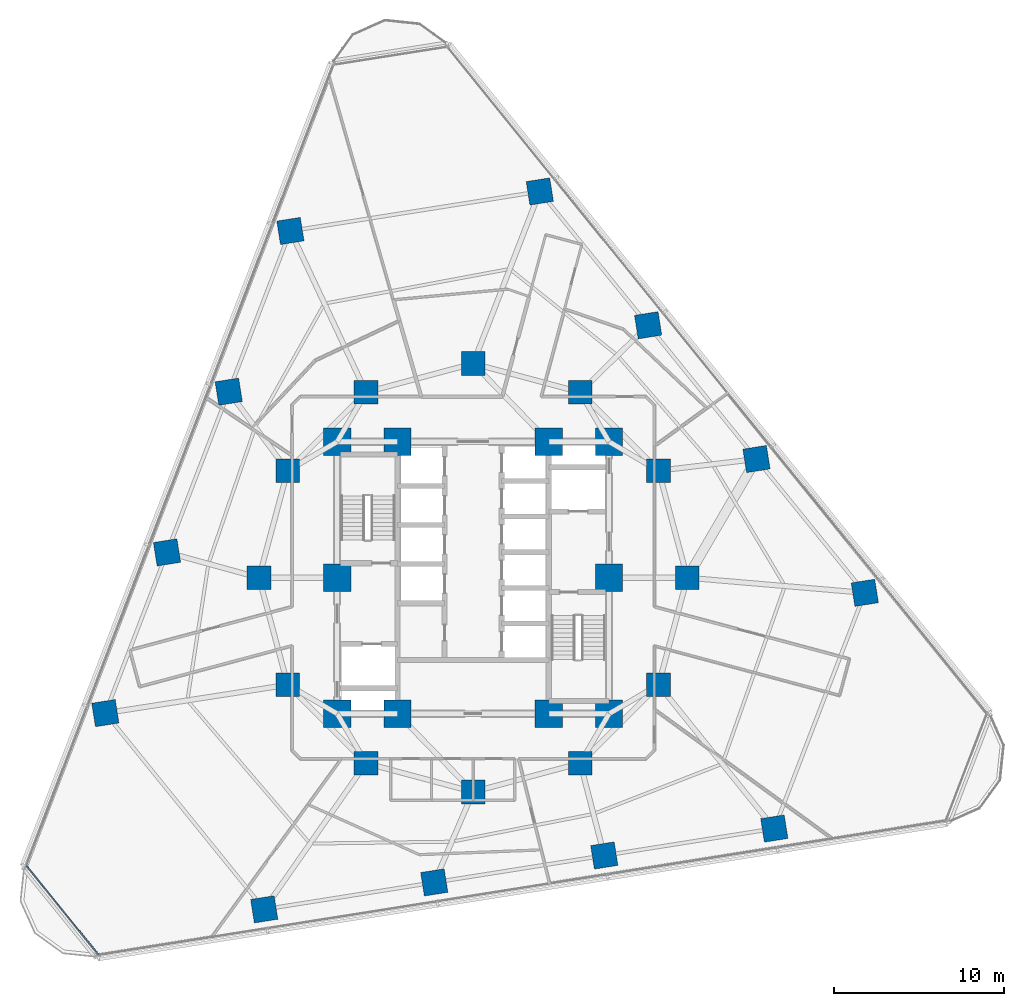
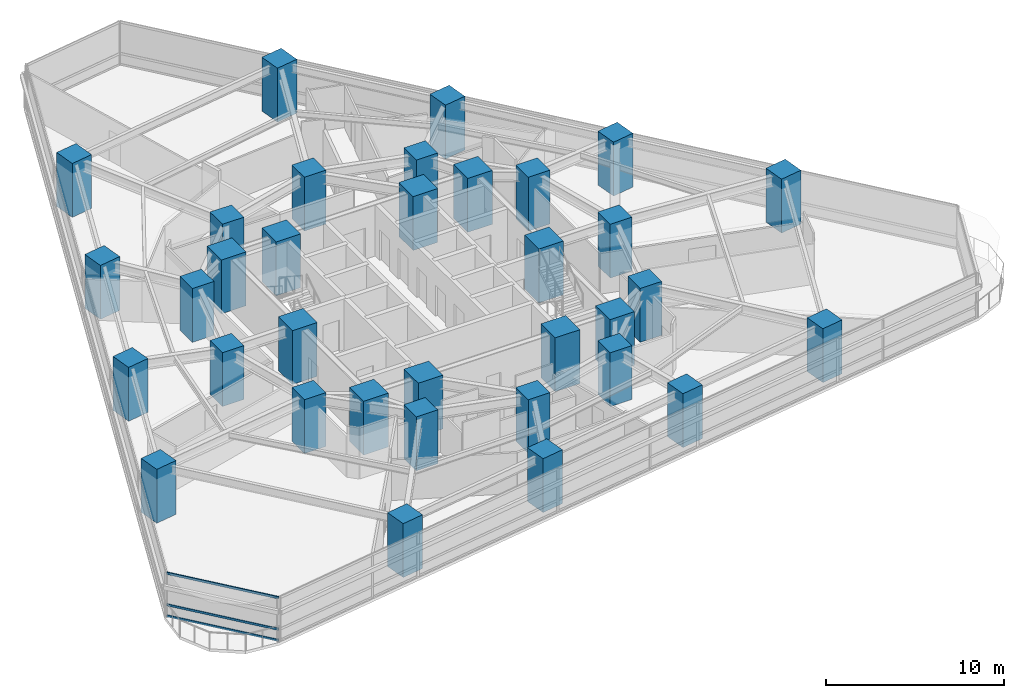
# One storey, part 1 of 13: 34 columns, 3 members, 1 element without a shape of its own.
"""IFC4 building model written with IfcOpenShell, lengths in metres."""

import ifcopenshell
import ifcopenshell.guid

model = None  # the IFC model being written
_history = None  # IfcOwnerHistory: only IFC2X3 demands one
_inside = {}  # id of a spatial element -> (the spatial element, [elements in it])
_under = {}  # id of a project, library or spatial element -> (it, [spatial elements below it])
_declared = {}  # id of a project -> (the project, [libraries it declares])
_typed = {}  # id of a type object -> (the type object, [elements of that type])
_made_of = {}  # id of a material, layer set ... -> (it, [elements and type objects made of it])


def new_model(schema):
    """Start an empty IFC model of exactly this schema.

    Asked for "IFC4X3", IfcOpenShell would pick the latest addendum, in which some entities
    have other attributes; the version numbers below select the first issue.
    IFC2X3 requires an IfcOwnerHistory on every rooted entity: one is made here for all.
    """
    global model, _history
    if schema == "IFC4X3":
        model = ifcopenshell.file(schema_version=(4, 3, 0, 0))
    else:
        model = ifcopenshell.file(schema=schema)
    _inside.clear()
    _under.clear()
    _declared.clear()
    _typed.clear()
    _made_of.clear()
    _history = None
    if model.schema == "IFC2X3":
        org = make("IfcOrganization", Name="unknown")
        user = make(
            "IfcPersonAndOrganization",
            ThePerson=make("IfcPerson", FamilyName="unknown"),
            TheOrganization=org,
        )
        app = make(
            "IfcApplication",
            ApplicationDeveloper=org,
            Version="unknown",
            ApplicationFullName="unknown",
            ApplicationIdentifier="unknown",
        )
        _history = make(
            "IfcOwnerHistory",
            OwningUser=user,
            OwningApplication=app,
            ChangeAction="ADDED",
            CreationDate=0,
        )
    return model


def make(cls, **values):
    """One entity of the class cls with the attributes given. An attribute that is None is left unset."""
    return model.create_entity(
        cls, **{name: value for name, value in values.items() if value is not None}
    )


def rooted(cls, **values):
    """An entity with a GlobalId (a new one), such as an element, a storey or a relation."""
    return make(cls, GlobalId=ifcopenshell.guid.new(), OwnerHistory=_history, **values)


def si_unit(unit_type, name, prefix=None):
    """IfcSIUnit, for example si_unit("LENGTHUNIT", "METRE", prefix="MILLI")."""
    return make("IfcSIUnit", UnitType=unit_type, Prefix=prefix, Name=name)


def assignment(units):
    """IfcUnitAssignment: the units of a project."""
    return None if units is None else make("IfcUnitAssignment", Units=units)


def point(xyz):
    """IfcCartesianPoint."""
    return None if xyz is None else make("IfcCartesianPoint", Coordinates=xyz)


def direction(xyz):
    """IfcDirection."""
    return None if xyz is None else make("IfcDirection", DirectionRatios=xyz)


def frame(location, z_axis=None, x_axis=None):
    """IfcAxis2Placement3D, a coordinate frame: its origin and axes. An axis left out is left unset."""
    return make(
        "IfcAxis2Placement3D",
        Location=point(location),
        Axis=direction(z_axis),
        RefDirection=direction(x_axis),
    )


def frame_2d(location, x_axis=None):
    """IfcAxis2Placement2D, a coordinate frame in the plane: its origin and x axis."""
    return make(
        "IfcAxis2Placement2D", Location=point(location), RefDirection=direction(x_axis)
    )


def origin():
    """The frame at (0, 0, 0) with its axes left unset."""
    return frame((0.0, 0.0, 0.0))


def origin_2d():
    """The frame at (0, 0) in the plane with its x axis left unset."""
    return frame_2d((0.0, 0.0))


def place(relative_to, where):
    """IfcLocalPlacement: puts the frame where relative to a parent placement (None: the world)."""
    return make(
        "IfcLocalPlacement", PlacementRelTo=relative_to, RelativePlacement=where
    )


def context(
    kind, dimensions, precision=None, world=None, true_north=None, identifier=None
):
    """IfcGeometricRepresentationContext, for example the 3D "Model" context."""
    return make(
        "IfcGeometricRepresentationContext",
        ContextIdentifier=identifier,
        ContextType=kind,
        CoordinateSpaceDimension=dimensions,
        Precision=precision,
        WorldCoordinateSystem=world,
        TrueNorth=true_north,
    )


def subcontext(parent, identifier, kind, view, scale=None):
    """IfcGeometricRepresentationSubContext, for example "Body" below "Model"."""
    return make(
        "IfcGeometricRepresentationSubContext",
        ContextIdentifier=identifier,
        ContextType=kind,
        ParentContext=parent,
        TargetScale=scale,
        TargetView=view,
    )


def project(units=None, contexts=None):
    """IfcProject with its units and contexts."""
    return rooted(
        "IfcProject",
        Name="project",
        RepresentationContexts=contexts,
        UnitsInContext=assignment(units),
    )


def spatial(cls, under=None, at=None, **own):
    """A site, building, storey or space (cls), placed at a placement, below another one or the project."""
    s = rooted(cls, ObjectPlacement=at, **own)
    if under is not None:
        _under.setdefault(under.id(), (under, []))[1].append(s)
    return s


def profile(cls, at=None, kind="AREA", **sizes):
    """A parametric profile (cls). Its sizes go by their IFC names, for example OverallWidth=200.0."""
    return make(cls, ProfileType=kind, Position=at, **sizes)


def rectangle(**sizes):
    """IfcRectangleProfileDef."""
    return profile("IfcRectangleProfileDef", **sizes)


def extrude(swept, where, along, depth):
    """IfcExtrudedAreaSolid: the profile swept, set in the frame where, extruded along a direction by depth."""
    return make(
        "IfcExtrudedAreaSolid",
        SweptArea=swept,
        Position=where,
        ExtrudedDirection=direction(along),
        Depth=depth,
    )


def shape(context_of_items, identifier, shape_type, items):
    """IfcShapeRepresentation: the items that make up one representation, for example the "Body"."""
    return make(
        "IfcShapeRepresentation",
        ContextOfItems=context_of_items,
        RepresentationIdentifier=identifier,
        RepresentationType=shape_type,
        Items=items,
    )


def material(Name=None, Category=None):
    """IfcMaterial."""
    return make("IfcMaterial", Name=Name, Category=Category)


def layer(
    of_material, thickness, ventilated=None, Name=None, Category=None, Priority=None
):
    """IfcMaterialLayer: one layer of a wall or slab, of a material (None: an air gap)."""
    return make(
        "IfcMaterialLayer",
        Material=of_material,
        LayerThickness=thickness,
        IsVentilated=ventilated,
        Name=Name,
        Category=Category,
        Priority=Priority,
    )


def layer_set(layers, Name=None):
    """IfcMaterialLayerSet."""
    return make("IfcMaterialLayerSet", MaterialLayers=layers, LayerSetName=Name)


def material_profile(
    of_material, cross_section, Name=None, Category=None, Priority=None
):
    """IfcMaterialProfile: a cross section and its material."""
    return make(
        "IfcMaterialProfile",
        Name=Name,
        Material=of_material,
        Profile=cross_section,
        Priority=Priority,
        Category=Category,
    )


def profile_set(profiles, Name=None, composite=None):
    """IfcMaterialProfileSet."""
    return make(
        "IfcMaterialProfileSet",
        Name=Name,
        MaterialProfiles=profiles,
        CompositeProfile=composite,
    )


def made_of(thing, what):
    """Note that an element or type object is made of a material, layer set ...; save() writes the relation."""
    if what is not None:
        _made_of.setdefault(what.id(), (what, []))[1].append(thing)
    return thing


def type_object(cls, material=None, **own):
    """A type object (cls), such as IfcWallType, which elements share."""
    return made_of(rooted(cls, **own), material)


def element(
    cls,
    number,
    at=None,
    inside=None,
    cuts=None,
    type_object=None,
    material=None,
    context=None,
    identifier="Body",
    shape_type=None,
    held_by="IfcProductDefinitionShape",
    body=None,
    shapes=None,
    **own,
):
    """One element of the class cls, such as IfcWall. Its Tag is "e" and its number.

    at: its placement. inside: the storey or other place that contains it. cuts: it is an
    opening in that element (IfcRelVoidsElement). A single representation is given by context,
    identifier, shape_type and body (its items); several are given by shapes. held_by: the class
    of the entity that holds the representations. save() writes the other relations.
    """
    e = rooted(cls, Tag="e%d" % number, ObjectPlacement=at, **own)
    if body is not None:
        shapes = [shape(context, identifier, shape_type, body)]
    if shapes is not None:
        e.Representation = make(held_by, Representations=shapes)
    if inside is not None:
        _inside.setdefault(inside.id(), (inside, []))[1].append(e)
    if cuts is not None:
        rooted(
            "IfcRelVoidsElement", RelatingBuildingElement=cuts, RelatedOpeningElement=e
        )
    if type_object is not None:
        _typed.setdefault(type_object.id(), (type_object, []))[1].append(e)
    return made_of(e, material)


def aggregate(whole, parts):
    """IfcRelAggregates: a whole, such as a stair, and the parts it consists of."""
    return rooted("IfcRelAggregates", RelatingObject=whole, RelatedObjects=parts)


def save(model, path):
    """Write the relations noted so far, then the file.

    IfcRelAggregates (storeys below a building ...), IfcRelContainedInSpatialStructure (elements
    in a storey), IfcRelDefinesByType, IfcRelAssociatesMaterial and IfcRelDeclares: one each for
    every whole, place, type object, material and project.
    """
    for whole, parts in _under.values():
        aggregate(whole, parts)
    for where, things in _inside.values():
        rooted(
            "IfcRelContainedInSpatialStructure",
            RelatedElements=things,
            RelatingStructure=where,
        )
    for kind, things in _typed.values():
        rooted("IfcRelDefinesByType", RelatedObjects=things, RelatingType=kind)
    for what, things in _made_of.values():
        rooted("IfcRelAssociatesMaterial", RelatedObjects=things, RelatingMaterial=what)
    for by, libraries in _declared.values():
        rooted("IfcRelDeclares", RelatingContext=by, RelatedDefinitions=libraries)
    model.write(path)


model = new_model("IFC4")

# Units and contexts
model_context = context("Model", 3, precision=1e-05, world=origin(), true_north=direction((0.0, 1.0)))
body_context = subcontext(model_context, "Body", "Model", "MODEL_VIEW")
ifc_project = project(units=[si_unit("LENGTHUNIT", "METRE"), si_unit("AREAUNIT", "SQUARE_METRE"), si_unit("VOLUMEUNIT", "CUBIC_METRE"), si_unit("PLANEANGLEUNIT", "RADIAN"), si_unit("MASSUNIT", "GRAM", prefix="KILO")], contexts=[model_context])

# Site, building, storey
site_placement = place(None, origin())
site = spatial("IfcSite", under=ifc_project, at=site_placement, CompositionType="ELEMENT")
building_placement = place(site_placement, origin())
building = spatial("IfcBuilding", under=site, at=building_placement, Name="Terralouvre Media Tower", CompositionType="ELEMENT")
storey_placement = place(building_placement, frame((0.0, 0.0, 59.300048828125)))
storey = spatial("IfcBuildingStorey", under=building, at=storey_placement, Name="L14", CompositionType="ELEMENT", Elevation=59.300048828125)

# Columns
ifc_material_1 = material(Name="Concrete C60/75", Category="concrete")
ifc_material_profile_1 = material_profile(ifc_material_1, rectangle(XDim=1.39990234375, YDim=1.39990234375, at=origin_2d()), Name="RC 1400x1400")
ifc_profile_set_1 = profile_set([ifc_material_profile_1], Name="Concrete C60/75")
column_type_1 = type_object("IfcColumnType", Name="Structural Column C-RC1400 (RC 1400x1400)", PredefinedType="COLUMN", material=ifc_profile_set_1)
for number, where, z_axis, x_axis, name in (
    (1, (12.60009765625, 0.0, 0.0), (0.0, 0.0, 1.0), (1.0, 0.0, 0.0), "L14 Mega-Frame Column MC01"),
    (2, (10.911865234375, 6.300048828125, 0.0), (0.0, 0.0, 1.0), (1.0, 0.0, 0.0), "L14 Mega-Frame Column MC02"),
    (3, (6.300048828125, 10.911865234375, 0.0), (0.0, 0.0, 1.0), (1.0, 0.0, 0.0), "L14 Mega-Frame Column MC03"),
    (4, (0.0, 12.60009765625, 0.0), (0.0, 0.0, 1.0), (1.0, 0.0, 0.0), "L14 Mega-Frame Column MC04"),
    (5, (-6.300048828125, 10.911865234375, 0.0), (0.0, 0.0, 1.0), (1.0, 0.0, 0.0), "L14 Mega-Frame Column MC05"),
    (6, (-10.911865234375, 6.300048828125, 0.0), (0.0, 0.0, 1.0), (1.0, 0.0, 0.0), "L14 Mega-Frame Column MC06"),
    (7, (-12.60009765625, 0.0, 0.0), (0.0, 0.0, 1.0), (1.0, 0.0, 0.0), "L14 Mega-Frame Column MC07"),
    (8, (-10.911865234375, -6.300048828125, 0.0), (0.0, 0.0, 1.0), (1.0, 0.0, 0.0), "L14 Mega-Frame Column MC08"),
    (9, (-6.300048828125, -10.911865234375, 0.0), (0.0, 0.0, 1.0), (1.0, 0.0, 0.0), "L14 Mega-Frame Column MC09"),
    (10, (0.0, -12.60009765625, 0.0), (0.0, 0.0, 1.0), (1.0, 0.0, 0.0), "L14 Mega-Frame Column MC10"),
    (11, (6.300048828125, -10.911865234375, 0.0), (0.0, 0.0, 1.0), (1.0, 0.0, 0.0), "L14 Mega-Frame Column MC11"),
    (12, (10.911865234375, -6.300048828125, 0.0), (0.0, 0.0, 1.0), (1.0, 0.0, 0.0), "L14 Mega-Frame Column MC12"),
    (13, (-12.291015625, -19.511474609375, 0.0), (0.0, 0.0, 1.0), (0.987688340595, 0.15643446504, 0.0), "L14 Perimeter Mega-Column PC11"),
    (14, (-2.287841796875, -17.927001953125, 0.0), (0.0, 0.0, 1.0), (0.987688340595, 0.15643446504, 0.0), "L14 Perimeter Mega-Column PC12"),
    (15, (7.715576171875, -16.3427734375, 0.0), (0.0, 0.0, 1.0), (0.987688340595, 0.15643446504, 0.0), "L14 Perimeter Mega-Column PC13"),
    (16, (17.71875, -14.75830078125, 0.0), (0.0, 0.0, 1.0), (0.987688340595, 0.15643446504, 0.0), "L14 Perimeter Mega-Column PC14"),
    (17, (23.04296875, -0.888671875, 0.0), (0.0, 0.0, 1.0), (0.987688340595, 0.15643446504, 0.0), "L14 Perimeter Mega-Column PC21"),
    (18, (16.669189453125, 6.982421875, 0.0), (0.0, 0.0, 1.0), (0.987688340595, 0.15643446504, 0.0), "L14 Perimeter Mega-Column PC22"),
    (19, (10.29541015625, 14.853271484375, 0.0), (0.0, 0.0, 1.0), (0.987688340595, 0.15643446504, 0.0), "L14 Perimeter Mega-Column PC23"),
    (20, (3.921630859375, 22.72412109375, 0.0), (0.0, 0.0, 1.0), (0.987688340595, 0.15643446504, 0.0), "L14 Perimeter Mega-Column PC24"),
    (21, (-10.751953125, 20.400146484375, 0.0), (0.0, 0.0, 1.0), (0.987688340595, 0.15643446504, 0.0), "L14 Perimeter Mega-Column PC31"),
    (22, (-14.38134765625, 10.94482421875, 0.0), (0.0, 0.0, 1.0), (0.987688340595, 0.15643446504, 0.0), "L14 Perimeter Mega-Column PC32"),
    (23, (-18.010986328125, 1.489501953125, 0.0), (0.0, 0.0, 1.0), (0.987688340595, 0.15643446504, 0.0), "L14 Perimeter Mega-Column PC33"),
    (24, (-21.640625, -7.9658203125, 0.0), (0.0, 0.0, 1.0), (0.987688340595, 0.15643446504, 0.0), "L14 Perimeter Mega-Column PC34"),
):
    element("IfcColumn", number, at=place(storey_placement, frame(where, z_axis=z_axis, x_axis=x_axis)), inside=storey, type_object=column_type_1, Name=name, PredefinedType="COLUMN", context=body_context, shape_type="SweptSolid", body=[
        extrude(rectangle(XDim=1.39990234375, YDim=1.39990234375, at=origin_2d()), origin(), (0.0, 0.0, 1.0), 3.699951171875),
    ])
ifc_material_2 = material(Name="Concrete C60/75", Category="concrete")
ifc_material_profile_2 = material_profile(ifc_material_2, rectangle(XDim=1.60009765625, YDim=1.60009765625, at=origin_2d()), Name="RC 1600x1600")
ifc_profile_set_2 = profile_set([ifc_material_profile_2], Name="Concrete C60/75")
column_type_2 = type_object("IfcColumnType", Name="Structural Column C-RC1600 (RC 1600x1600)", PredefinedType="COLUMN", material=ifc_profile_set_2)
for number, where, z_axis, x_axis, name in (
    (25, (-8.0, -8.0, 0.0), (0.0, 0.0, 1.0), (1.0, 0.0, 0.0), "L14 Core Pilaster Column CP1"),
    (26, (-4.449951171875, -8.0, 0.0), (0.0, 0.0, 1.0), (1.0, 0.0, 0.0), "L14 Core Pilaster Column CP2"),
    (27, (4.449951171875, -8.0, 0.0), (0.0, 0.0, 1.0), (1.0, 0.0, 0.0), "L14 Core Pilaster Column CP10"),
    (28, (8.0, -8.0, 0.0), (0.0, 0.0, 1.0), (1.0, 0.0, 0.0), "L14 Core Pilaster Column CP3"),
    (29, (8.0, 0.0, 0.0), (0.0, 0.0, 1.0), (1.0, 0.0, 0.0), "L14 Core Pilaster Column CP4"),
    (30, (8.0, 8.0, 0.0), (0.0, 0.0, 1.0), (1.0, 0.0, 0.0), "L14 Core Pilaster Column CP5"),
    (31, (4.449951171875, 8.0, 0.0), (0.0, 0.0, 1.0), (1.0, 0.0, 0.0), "L14 Core Pilaster Column CP9"),
    (32, (-4.449951171875, 8.0, 0.0), (0.0, 0.0, 1.0), (1.0, 0.0, 0.0), "L14 Core Pilaster Column CP6"),
    (33, (-8.0, 8.0, 0.0), (0.0, 0.0, 1.0), (1.0, 0.0, 0.0), "L14 Core Pilaster Column CP7"),
    (34, (-8.0, 0.0, 0.0), (0.0, 0.0, 1.0), (1.0, 0.0, 0.0), "L14 Core Pilaster Column CP8"),
):
    element("IfcColumn", number, at=place(storey_placement, frame(where, z_axis=z_axis, x_axis=x_axis)), inside=storey, type_object=column_type_2, Name=name, PredefinedType="COLUMN", context=body_context, shape_type="SweptSolid", body=[
        extrude(rectangle(XDim=1.60009765625, YDim=1.60009765625, at=origin_2d()), origin(), (0.0, 0.0, 1.0), 3.699951171875),
    ])

# Curtain wall, members
ifc_material_3 = material(Name="Low-iron laminated double glazing with solar-control coating", Category="glass")
ifc_layer = layer(ifc_material_3, 0.1650390625, Name="Rounded Wind-Corner Curved Glazing CW-04")
ifc_layer_set = layer_set([ifc_layer], Name="Low-iron laminated double glazing with solar-control coating")
curtain_wall_type = type_object("IfcCurtainWallType", Name="Rounded Wind-Corner Curved Glazing CW-04", PredefinedType="NOTDEFINED", material=ifc_layer_set)
curtain_wall_placement = place(storey_placement, origin())
curtain_wall = element("IfcCurtainWall", 35, at=curtain_wall_placement, inside=storey, type_object=curtain_wall_type, Name="L14 Rounded Wind-Corner Curtain Wall C0", PredefinedType="NOTDEFINED")
ifc_material_4 = material(Name="Anodised extruded aluminium 6063-T6", Category="aluminium")
ifc_material_profile_3 = material_profile(ifc_material_4, rectangle(XDim=0.074951171875, YDim=0.14990234375, at=origin_2d()), Name="ALU 75x150")
ifc_profile_set_3 = profile_set([ifc_material_profile_3], Name="Anodised extruded aluminium 6063-T6")
member_type = type_object("IfcMemberType", Name="Curtain-Wall Horizontal Transom TR-150", PredefinedType="USERDEFINED", material=ifc_profile_set_3)
member_1_placement = place(storey_placement, frame((-26.281005859375, -16.943359375, 0.037353515625), z_axis=(0.629324238094, -0.777142846167, 0.0), x_axis=(0.777142846167, 0.629324238094, 0.0)))
member_1 = element("IfcMember", 36, at=member_1_placement, type_object=member_type, Name="CW-04 transom 1.1", ObjectType="TRANSOM", PredefinedType="USERDEFINED", context=body_context, shape_type="SweptSolid", body=[
    extrude(rectangle(XDim=0.074951171875, YDim=0.14990234375, at=origin_2d()), origin(), (0.0, 0.0, 1.0), 6.74365234375),
])
member_2_placement = place(storey_placement, frame((-26.281005859375, -16.943359375, 0.800048828125), z_axis=(0.629324238094, -0.777142846167, 0.0), x_axis=(0.777142846167, 0.629324238094, 0.0)))
member_2 = element("IfcMember", 37, at=member_2_placement, type_object=member_type, Name="CW-04 transom 1.2", ObjectType="TRANSOM", PredefinedType="USERDEFINED", context=body_context, shape_type="SweptSolid", body=[
    extrude(rectangle(XDim=0.074951171875, YDim=0.14990234375, at=origin_2d()), origin(), (0.0, 0.0, 1.0), 6.74365234375),
])
member_3_placement = place(storey_placement, frame((-26.281005859375, -16.943359375, 2.96240234375), z_axis=(0.629324238094, -0.777142846167, 0.0), x_axis=(0.777142846167, 0.629324238094, 0.0)))
member_3 = element("IfcMember", 38, at=member_3_placement, type_object=member_type, Name="CW-04 transom 1.3", ObjectType="TRANSOM", PredefinedType="USERDEFINED", context=body_context, shape_type="SweptSolid", body=[
    extrude(rectangle(XDim=0.074951171875, YDim=0.14990234375, at=origin_2d()), origin(), (0.0, 0.0, 1.0), 6.74365234375),
])
aggregate(curtain_wall, [member_1, member_2, member_3])

save(model, "model.ifc")
